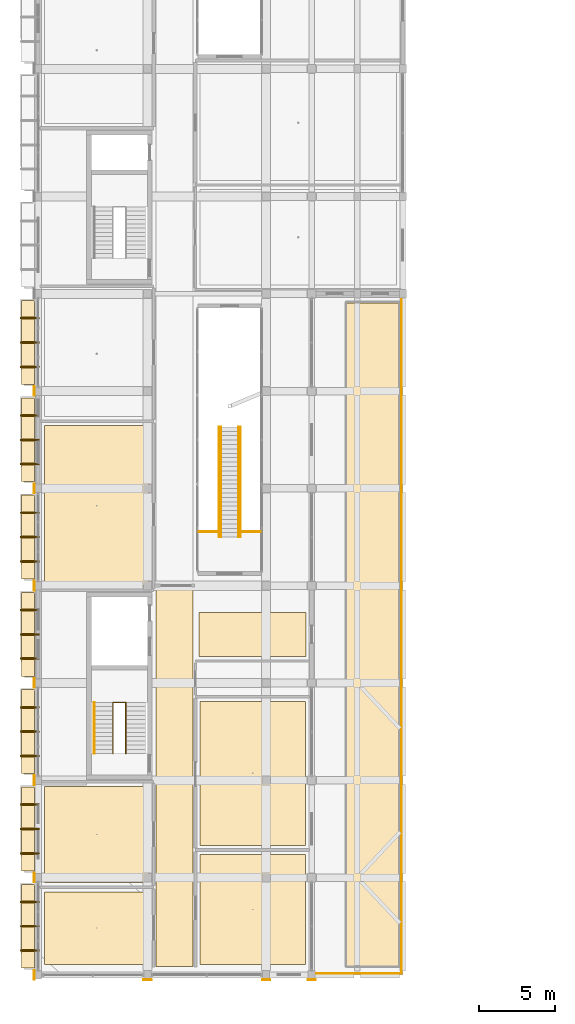
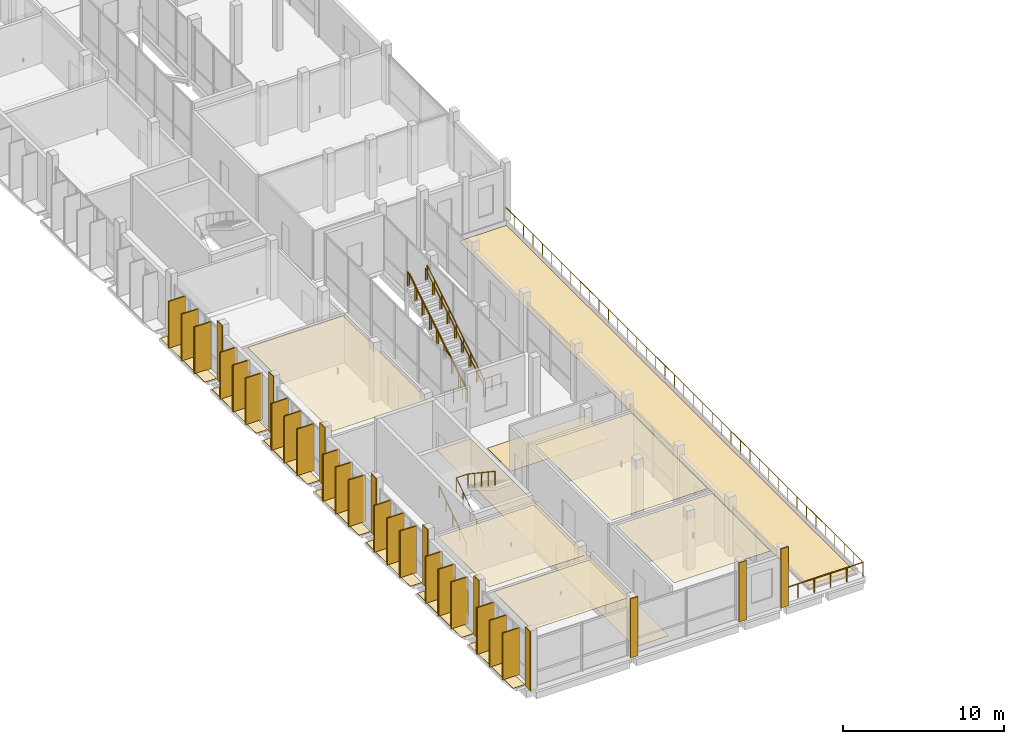
# One storey, part 82 of 95: 46 coverings, 21 shading devices, 10 railings.
"""IFC4 building model written with IfcOpenShell, lengths in metres."""

from ifc_helpers import new_model, si_unit, derived_unit, direction, frame, origin, origin_2d, place, context, subcontext, project, spatial, polyline, rectangle, circle, outline, extrude, material, layer, layer_set, type_object, element, save


model = new_model("IFC4")

# Units and contexts
model_context = context("Model", 3, precision=1e-05, world=origin(), true_north=direction((0.0, 1.0)))
body_context = subcontext(model_context, "Body", "Model", "MODEL_VIEW")
ifc_project = project(units=[si_unit("LENGTHUNIT", "METRE"), si_unit("AREAUNIT", "SQUARE_METRE"), si_unit("VOLUMEUNIT", "CUBIC_METRE"), si_unit("PLANEANGLEUNIT", "RADIAN"), si_unit("MASSUNIT", "GRAM", prefix="KILO"), derived_unit("THERMALTRANSMITTANCEUNIT", [(si_unit("POWERUNIT", "WATT"), 1), (si_unit("LENGTHUNIT", "METRE"), -2), (si_unit("THERMODYNAMICTEMPERATUREUNIT", "KELVIN"), -1)])], contexts=[model_context])

# Site, building, storey
site_placement = place(None, origin())
site = spatial("IfcSite", under=ifc_project, at=site_placement, CompositionType="ELEMENT")
building_placement = place(site_placement, origin())
building = spatial("IfcBuilding", under=site, at=building_placement, Name="Braskholm Square Health Centre", CompositionType="ELEMENT")
storey_placement = place(building_placement, frame((0.0, 0.0, 4.800048828125)))
storey = spatial("IfcBuildingStorey", under=building, at=storey_placement, Name="L02", CompositionType="ELEMENT", Elevation=4.800048828125)

# Coverings
ifc_material_1 = material(Name="Fire-rated gypsum board barrier")
ifc_layer_1 = layer(ifc_material_1, 0.02490234375)
ifc_layer_set_1 = layer_set([ifc_layer_1], Name="Fire-rated gypsum board barrier")
covering_type_1 = type_object("IfcCoveringType", Name="AcousticClinicalCeilingTile", PredefinedType="CEILING", material=ifc_layer_set_1)
covering_1_placement = place(storey_placement, frame((0.0, 0.0, 3.784912109375)))
element("IfcCovering", 1, at=covering_1_placement, inside=storey, type_object=covering_type_1, Name="Acoustic ceiling L02-047", PredefinedType="CEILING", context=body_context, shape_type="SweptSolid", body=[
    extrude(outline(polyline([(4.6201171875, 4.89990234375), (11.5, 4.89990234375), (11.5, 9.669921875), (4.6201171875, 9.669921875), (4.6201171875, 4.89990234375)])), origin(), (0.0, 0.0, 1.0), 0.025146484375),
])
covering_2_placement = place(storey_placement, frame((0.0, 0.0, 3.764892578125)))
element("IfcCovering", 2, at=covering_2_placement, inside=storey, type_object=covering_type_1, Name="Acoustic ceiling L02-048", PredefinedType="CEILING", context=body_context, shape_type="SweptSolid", body=[
    extrude(outline(polyline([(4.6201171875, 10.27001953125), (11.5, 10.27001953125), (11.5, 16.60009765625), (4.6201171875, 16.60009765625), (4.6201171875, 10.27001953125)])), origin(), (0.0, 0.0, 1.0), 0.025146484375),
])
covering_3_placement = place(storey_placement, frame((0.0, 0.0, 3.764892578125)))
element("IfcCovering", 3, at=covering_3_placement, inside=storey, type_object=covering_type_1, Name="Acoustic ceiling L02-049", PredefinedType="CEILING", context=body_context, shape_type="SweptSolid", body=[
    extrude(outline(polyline([(4.6201171875, 29.800048828125), (11.5, 29.800048828125), (11.5, 40.330078125), (4.6201171875, 40.330078125), (4.6201171875, 29.800048828125)])), origin(), (0.0, 0.0, 1.0), 0.025146484375),
])
covering_4_placement = place(storey_placement, frame((0.0, 0.0, 3.764892578125)))
element("IfcCovering", 4, at=covering_4_placement, inside=storey, type_object=covering_type_1, Name="Acoustic ceiling L02-061", PredefinedType="CEILING", context=body_context, shape_type="SweptSolid", body=[
    extrude(outline(polyline([(14.85009765625, 4.89990234375), (21.780029296875, 4.89990234375), (21.780029296875, 12.1201171875), (14.85009765625, 12.1201171875), (14.85009765625, 4.89990234375)])), origin(), (0.0, 0.0, 1.0), 0.025146484375),
])
covering_5_placement = place(storey_placement, frame((0.0, 0.0, 3.764892578125)))
element("IfcCovering", 5, at=covering_5_placement, inside=storey, type_object=covering_type_1, Name="Acoustic ceiling L02-062", PredefinedType="CEILING", context=body_context, shape_type="SweptSolid", body=[
    extrude(outline(polyline([(14.85009765625, 12.719970703125), (21.780029296875, 12.719970703125), (21.780029296875, 22.199951171875), (14.85009765625, 22.199951171875), (14.85009765625, 12.719970703125)])), origin(), (0.0, 0.0, 1.0), 0.025146484375),
])

# Railings
ifc_material_2 = material(Name="Dark patinated chevron architectural bronze", Category="aluminium")
railing_type_1 = type_object("IfcRailingType", Name="BronzeChevronGuardrail1100", PredefinedType="GUARDRAIL", material=ifc_material_2)
railing_1_placement = place(storey_placement, frame((9.1298828125, 18.760009765625, 0.0)))
element("IfcRailing", 6, at=railing_1_placement, inside=storey, type_object=railing_type_1, Name="Stair ST-01 inner well guardrail L02", PredefinedType="GUARDRAIL", context=body_context, shape_type="SweptSolid", body=[
    extrude(circle(Radius=0.02392578125, at=origin_2d()), frame((0.0, 0.0, 1.076171875), z_axis=(0.0, 0.830915400975, 0.556398774641), x_axis=(-1.0, 0.0, 0.0)), (0.0, 0.0, 1.0), 4.0439453125),
    extrude(circle(Radius=0.02392578125, at=origin_2d()), frame((0.0, 3.360107421875, 3.326171875), z_axis=(1.0, 0.0, 0.0), x_axis=(0.0, 1.0, 0.0)), (0.0, 0.0, 1.0), 0.840087890625),
    extrude(circle(Radius=0.02392578125, at=origin_2d()), frame((0.840087890625, 3.360107421875, 3.326171875), z_axis=(0.0, -0.830915400975, 0.556398774641), x_axis=(1.0, 0.0, 0.0)), (0.0, 0.0, 1.0), 4.0439453125),
    extrude(circle(Radius=0.02099609375, at=origin_2d()), origin(), (0.0, 0.0, 1.0), 1.052001953125),
    extrude(circle(Radius=0.02099609375, at=origin_2d()), frame((0.0, 0.840087890625, 0.5625)), (0.0, 0.0, 1.0), 1.052001953125),
    extrude(circle(Radius=0.02099609375, at=origin_2d()), frame((0.0, 1.68017578125, 1.125)), (0.0, 0.0, 1.0), 1.052001953125),
    extrude(circle(Radius=0.02099609375, at=origin_2d()), frame((0.0, 2.52001953125, 1.6875)), (0.0, 0.0, 1.0), 1.052001953125),
    extrude(circle(Radius=0.02099609375, at=origin_2d()), frame((0.0, 3.360107421875, 2.25)), (0.0, 0.0, 1.0), 1.052001953125),
    extrude(circle(Radius=0.02099609375, at=origin_2d()), frame((0.840087890625, 3.360107421875, 2.25)), (0.0, 0.0, 1.0), 1.052001953125),
    extrude(circle(Radius=0.02099609375, at=origin_2d()), frame((0.840087890625, 2.52001953125, 2.8125)), (0.0, 0.0, 1.0), 1.052001953125),
    extrude(circle(Radius=0.02099609375, at=origin_2d()), frame((0.840087890625, 1.68017578125, 3.375)), (0.0, 0.0, 1.0), 1.052001953125),
    extrude(circle(Radius=0.02099609375, at=origin_2d()), frame((0.840087890625, 0.840087890625, 3.9375)), (0.0, 0.0, 1.0), 1.052001953125),
    extrude(circle(Radius=0.02099609375, at=origin_2d()), frame((0.840087890625, 0.0, 4.5)), (0.0, 0.0, 1.0), 1.052001953125),
])
for number, where, name in (
    (7, (16.10009765625, 33.0, 0.0), "Stair ST-07 side guard L"),
    (8, (17.5, 33.0, 0.0), "Stair ST-07 side guard R"),
):
    element("IfcRailing", number, at=place(storey_placement, frame(where)), inside=storey, type_object=railing_type_1, Name=name, PredefinedType="GUARDRAIL", context=body_context, shape_type="SweptSolid", body=[
        extrude(circle(Radius=0.02392578125, at=origin_2d()), frame((0.0, 0.0, 1.076171875), z_axis=(0.0, 0.849640166198, 0.527362861778), x_axis=(-1.0, 0.0, 0.0)), (0.0, 0.0, 1.0), 8.532958984375),
        extrude(circle(Radius=0.02099609375, at=origin_2d()), origin(), (0.0, 0.0, 1.0), 1.052001953125),
        extrude(circle(Radius=0.02099609375, at=origin_2d()), frame((0.0, 0.90625, 0.5625)), (0.0, 0.0, 1.0), 1.052001953125),
        extrude(circle(Radius=0.02099609375, at=origin_2d()), frame((0.0, 1.8125, 1.125)), (0.0, 0.0, 1.0), 1.052001953125),
        extrude(circle(Radius=0.02099609375, at=origin_2d()), frame((0.0, 2.71875, 1.6875)), (0.0, 0.0, 1.0), 1.052001953125),
        extrude(circle(Radius=0.02099609375, at=origin_2d()), frame((0.0, 3.625, 2.25)), (0.0, 0.0, 1.0), 1.052001953125),
        extrude(circle(Radius=0.02099609375, at=origin_2d()), frame((0.0, 4.53125, 2.8125)), (0.0, 0.0, 1.0), 1.052001953125),
        extrude(circle(Radius=0.02099609375, at=origin_2d()), frame((0.0, 5.4375, 3.375)), (0.0, 0.0, 1.0), 1.052001953125),
        extrude(circle(Radius=0.02099609375, at=origin_2d()), frame((0.0, 6.34375, 3.9375)), (0.0, 0.0, 1.0), 1.052001953125),
        extrude(circle(Radius=0.02099609375, at=origin_2d()), frame((0.0, 7.25, 4.5)), (0.0, 0.0, 1.0), 1.052001953125),
    ])
for number, where, name in (
    (9, (14.780029296875, 33.35009765625, 0.0), "Atrium stair landing edge guard 19"),
    (10, (17.550048828125, 33.35009765625, 0.0), "Atrium stair landing edge guard 20"),
):
    element("IfcRailing", number, at=place(storey_placement, frame(where)), inside=storey, type_object=railing_type_1, Name=name, PredefinedType="GUARDRAIL", context=body_context, shape_type="SweptSolid", body=[
        extrude(circle(Radius=0.02392578125, at=origin_2d()), frame((0.0, 0.0, 1.076171875), z_axis=(1.0, 0.0, 0.0), x_axis=(0.0, 1.0, 0.0)), (0.0, 0.0, 1.0), 1.27001953125),
        extrude(circle(Radius=0.02099609375, at=origin_2d()), origin(), (0.0, 0.0, 1.0), 1.052001953125),
        extrude(circle(Radius=0.02099609375, at=origin_2d()), frame((0.635009765625, 0.0, 0.0)), (0.0, 0.0, 1.0), 1.052001953125),
        extrude(circle(Radius=0.02099609375, at=origin_2d()), frame((1.27001953125, 0.0, 0.0)), (0.0, 0.0, 1.0), 1.052001953125),
    ])
railing_2_placement = place(storey_placement, frame((22.25, 4.300048828125, 0.0)))
element("IfcRailing", 11, at=railing_2_placement, inside=storey, type_object=railing_type_1, Name="Bronze chevron guardrail 0001 L02", PredefinedType="GUARDRAIL", context=body_context, shape_type="SweptSolid", body=[
    extrude(circle(Radius=0.02392578125, at=origin_2d()), frame((0.0, 0.0, 1.076171875), z_axis=(1.0, 0.0, 0.0), x_axis=(0.0, 1.0, 0.0)), (0.0, 0.0, 1.0), 5.85009765625),
    extrude(circle(Radius=0.02099609375, at=origin_2d()), origin(), (0.0, 0.0, 1.0), 1.052001953125),
    extrude(circle(Radius=0.02099609375, at=origin_2d()), frame((1.169921875, 0.0, 0.0)), (0.0, 0.0, 1.0), 1.052001953125),
    extrude(circle(Radius=0.02099609375, at=origin_2d()), frame((2.340087890625, 0.0, 0.0)), (0.0, 0.0, 1.0), 1.052001953125),
    extrude(circle(Radius=0.02099609375, at=origin_2d()), frame((3.510009765625, 0.0, 0.0)), (0.0, 0.0, 1.0), 1.052001953125),
    extrude(circle(Radius=0.02099609375, at=origin_2d()), frame((4.68017578125, 0.0, 0.0)), (0.0, 0.0, 1.0), 1.052001953125),
    extrude(circle(Radius=0.02099609375, at=origin_2d()), frame((5.85009765625, 0.0, 0.0)), (0.0, 0.0, 1.0), 1.052001953125),
])
railing_3_placement = place(storey_placement, frame((28.10009765625, 4.300048828125, 0.0)))
element("IfcRailing", 12, at=railing_3_placement, inside=storey, type_object=railing_type_1, Name="Bronze chevron guardrail 0002 L02", PredefinedType="GUARDRAIL", context=body_context, shape_type="SweptSolid", body=[
    extrude(circle(Radius=0.02392578125, at=origin_2d()), frame((0.0, 0.0, 1.076171875), z_axis=(0.0, 1.0, 0.0), x_axis=(-1.0, 0.0, 0.0)), (0.0, 0.0, 1.0), 44.64990234375),
    extrude(circle(Radius=0.02099609375, at=origin_2d()), origin(), (0.0, 0.0, 1.0), 1.052001953125),
    extrude(circle(Radius=0.02099609375, at=origin_2d()), frame((0.0, 1.175048828125, 0.0)), (0.0, 0.0, 1.0), 1.052001953125),
    extrude(circle(Radius=0.02099609375, at=origin_2d()), frame((0.0, 2.35009765625, 0.0)), (0.0, 0.0, 1.0), 1.052001953125),
    extrude(circle(Radius=0.02099609375, at=origin_2d()), frame((0.0, 3.52490234375, 0.0)), (0.0, 0.0, 1.0), 1.052001953125),
    extrude(circle(Radius=0.02099609375, at=origin_2d()), frame((0.0, 4.699951171875, 0.0)), (0.0, 0.0, 1.0), 1.052001953125),
    extrude(circle(Radius=0.02099609375, at=origin_2d()), frame((0.0, 5.875, 0.0)), (0.0, 0.0, 1.0), 1.052001953125),
    extrude(circle(Radius=0.02099609375, at=origin_2d()), frame((0.0, 7.050048828125, 0.0)), (0.0, 0.0, 1.0), 1.052001953125),
    extrude(circle(Radius=0.02099609375, at=origin_2d()), frame((0.0, 8.22509765625, 0.0)), (0.0, 0.0, 1.0), 1.052001953125),
    extrude(circle(Radius=0.02099609375, at=origin_2d()), frame((0.0, 9.39990234375, 0.0)), (0.0, 0.0, 1.0), 1.052001953125),
    extrude(circle(Radius=0.02099609375, at=origin_2d()), frame((0.0, 10.574951171875, 0.0)), (0.0, 0.0, 1.0), 1.052001953125),
    extrude(circle(Radius=0.02099609375, at=origin_2d()), frame((0.0, 11.75, 0.0)), (0.0, 0.0, 1.0), 1.052001953125),
    extrude(circle(Radius=0.02099609375, at=origin_2d()), frame((0.0, 12.925048828125, 0.0)), (0.0, 0.0, 1.0), 1.052001953125),
    extrude(circle(Radius=0.02099609375, at=origin_2d()), frame((0.0, 14.099853515625, 0.0)), (0.0, 0.0, 1.0), 1.052001953125),
    extrude(circle(Radius=0.02099609375, at=origin_2d()), frame((0.0, 15.27490234375, 0.0)), (0.0, 0.0, 1.0), 1.052001953125),
    extrude(circle(Radius=0.02099609375, at=origin_2d()), frame((0.0, 16.449951171875, 0.0)), (0.0, 0.0, 1.0), 1.052001953125),
    extrude(circle(Radius=0.02099609375, at=origin_2d()), frame((0.0, 17.625, 0.0)), (0.0, 0.0, 1.0), 1.052001953125),
    extrude(circle(Radius=0.02099609375, at=origin_2d()), frame((0.0, 18.800048828125, 0.0)), (0.0, 0.0, 1.0), 1.052001953125),
    extrude(circle(Radius=0.02099609375, at=origin_2d()), frame((0.0, 19.974853515625, 0.0)), (0.0, 0.0, 1.0), 1.052001953125),
    extrude(circle(Radius=0.02099609375, at=origin_2d()), frame((0.0, 21.14990234375, 0.0)), (0.0, 0.0, 1.0), 1.052001953125),
    extrude(circle(Radius=0.02099609375, at=origin_2d()), frame((0.0, 22.324951171875, 0.0)), (0.0, 0.0, 1.0), 1.052001953125),
    extrude(circle(Radius=0.02099609375, at=origin_2d()), frame((0.0, 23.5, 0.0)), (0.0, 0.0, 1.0), 1.052001953125),
    extrude(circle(Radius=0.02099609375, at=origin_2d()), frame((0.0, 24.675048828125, 0.0)), (0.0, 0.0, 1.0), 1.052001953125),
    extrude(circle(Radius=0.02099609375, at=origin_2d()), frame((0.0, 25.849853515625, 0.0)), (0.0, 0.0, 1.0), 1.052001953125),
    extrude(circle(Radius=0.02099609375, at=origin_2d()), frame((0.0, 27.02490234375, 0.0)), (0.0, 0.0, 1.0), 1.052001953125),
    extrude(circle(Radius=0.02099609375, at=origin_2d()), frame((0.0, 28.199951171875, 0.0)), (0.0, 0.0, 1.0), 1.052001953125),
    extrude(circle(Radius=0.02099609375, at=origin_2d()), frame((0.0, 29.375, 0.0)), (0.0, 0.0, 1.0), 1.052001953125),
    extrude(circle(Radius=0.02099609375, at=origin_2d()), frame((0.0, 30.550048828125, 0.0)), (0.0, 0.0, 1.0), 1.052001953125),
    extrude(circle(Radius=0.02099609375, at=origin_2d()), frame((0.0, 31.724853515625, 0.0)), (0.0, 0.0, 1.0), 1.052001953125),
    extrude(circle(Radius=0.02099609375, at=origin_2d()), frame((0.0, 32.89990234375, 0.0)), (0.0, 0.0, 1.0), 1.052001953125),
    extrude(circle(Radius=0.02099609375, at=origin_2d()), frame((0.0, 34.074951171875, 0.0)), (0.0, 0.0, 1.0), 1.052001953125),
    extrude(circle(Radius=0.02099609375, at=origin_2d()), frame((0.0, 35.25, 0.0)), (0.0, 0.0, 1.0), 1.052001953125),
    extrude(circle(Radius=0.02099609375, at=origin_2d()), frame((0.0, 36.4248046875, 0.0)), (0.0, 0.0, 1.0), 1.052001953125),
    extrude(circle(Radius=0.02099609375, at=origin_2d()), frame((0.0, 37.599853515625, 0.0)), (0.0, 0.0, 1.0), 1.052001953125),
    extrude(circle(Radius=0.02099609375, at=origin_2d()), frame((0.0, 38.77490234375, 0.0)), (0.0, 0.0, 1.0), 1.052001953125),
    extrude(circle(Radius=0.02099609375, at=origin_2d()), frame((0.0, 39.949951171875, 0.0)), (0.0, 0.0, 1.0), 1.052001953125),
    extrude(circle(Radius=0.02099609375, at=origin_2d()), frame((0.0, 41.125, 0.0)), (0.0, 0.0, 1.0), 1.052001953125),
    extrude(circle(Radius=0.02099609375, at=origin_2d()), frame((0.0, 42.2998046875, 0.0)), (0.0, 0.0, 1.0), 1.052001953125),
    extrude(circle(Radius=0.02099609375, at=origin_2d()), frame((0.0, 43.474853515625, 0.0)), (0.0, 0.0, 1.0), 1.052001953125),
    extrude(circle(Radius=0.02099609375, at=origin_2d()), frame((0.0, 44.64990234375, 0.0)), (0.0, 0.0, 1.0), 1.052001953125),
])

# Shading devices
ifc_material_3 = material(Name="Thermally modified western red cedar with bronze trim", Category="wood")
shading_device_type = type_object("IfcShadingDeviceType", Name="CedarBronzeShadingFin1250", PredefinedType="USERDEFINED", material=ifc_material_3)
for number, where, z_axis, x_axis, name in (
    (13, (3.635009765625, 5.800048828125, 0.0), (0.0, 0.0, 1.0), (1.0, 0.0, 0.0), "Warm cedar-bronze vertical shading slat 0001"),
    (14, (3.635009765625, 7.39990234375, 0.0), (0.0, 0.0, 1.0), (1.0, 0.0, 0.0), "Warm cedar-bronze vertical shading slat 0002"),
    (15, (3.635009765625, 9.0, 0.0), (0.0, 0.0, 1.0), (1.0, 0.0, 0.0), "Warm cedar-bronze vertical shading slat 0003"),
    (16, (3.635009765625, 12.199951171875, 0.0), (0.0, 0.0, 1.0), (1.0, 0.0, 0.0), "Warm cedar-bronze vertical shading slat 0004"),
    (17, (3.635009765625, 13.800048828125, 0.0), (0.0, 0.0, 1.0), (1.0, 0.0, 0.0), "Warm cedar-bronze vertical shading slat 0005"),
    (18, (3.635009765625, 15.39990234375, 0.0), (0.0, 0.0, 1.0), (1.0, 0.0, 0.0), "Warm cedar-bronze vertical shading slat 0006"),
    (19, (3.635009765625, 18.60009765625, 0.0), (0.0, 0.0, 1.0), (1.0, 0.0, 0.0), "Warm cedar-bronze vertical shading slat 0007"),
    (20, (3.635009765625, 20.199951171875, 0.0), (0.0, 0.0, 1.0), (1.0, 0.0, 0.0), "Warm cedar-bronze vertical shading slat 0008"),
    (21, (3.635009765625, 21.800048828125, 0.0), (0.0, 0.0, 1.0), (1.0, 0.0, 0.0), "Warm cedar-bronze vertical shading slat 0009"),
    (22, (3.635009765625, 25.0, 0.0), (0.0, 0.0, 1.0), (1.0, 0.0, 0.0), "Warm cedar-bronze vertical shading slat 0010"),
    (23, (3.635009765625, 26.60009765625, 0.0), (0.0, 0.0, 1.0), (1.0, 0.0, 0.0), "Warm cedar-bronze vertical shading slat 0011"),
    (24, (3.635009765625, 28.199951171875, 0.0), (0.0, 0.0, 1.0), (1.0, 0.0, 0.0), "Warm cedar-bronze vertical shading slat 0012"),
    (25, (3.635009765625, 31.39990234375, 0.0), (0.0, 0.0, 1.0), (1.0, 0.0, 0.0), "Warm cedar-bronze vertical shading slat 0013"),
    (26, (3.635009765625, 33.0, 0.0), (0.0, 0.0, 1.0), (1.0, 0.0, 0.0), "Warm cedar-bronze vertical shading slat 0014"),
    (27, (3.635009765625, 34.60009765625, 0.0), (0.0, 0.0, 1.0), (1.0, 0.0, 0.0), "Warm cedar-bronze vertical shading slat 0015"),
    (28, (3.635009765625, 37.800048828125, 0.0), (0.0, 0.0, 1.0), (1.0, 0.0, 0.0), "Warm cedar-bronze vertical shading slat 0016"),
    (29, (3.635009765625, 39.39990234375, 0.0), (0.0, 0.0, 1.0), (1.0, 0.0, 0.0), "Warm cedar-bronze vertical shading slat 0017"),
    (30, (3.635009765625, 41.0, 0.0), (0.0, 0.0, 1.0), (1.0, 0.0, 0.0), "Warm cedar-bronze vertical shading slat 0018"),
    (31, (3.635009765625, 44.199951171875, 0.0), (0.0, 0.0, 1.0), (1.0, 0.0, 0.0), "Warm cedar-bronze vertical shading slat 0019"),
    (32, (3.635009765625, 45.800048828125, 0.0), (0.0, 0.0, 1.0), (1.0, 0.0, 0.0), "Warm cedar-bronze vertical shading slat 0020"),
    (33, (3.635009765625, 47.39990234375, 0.0), (0.0, 0.0, 1.0), (1.0, 0.0, 0.0), "Warm cedar-bronze vertical shading slat 0021"),
):
    element("IfcShadingDevice", number, at=place(storey_placement, frame(where, z_axis=z_axis, x_axis=x_axis)), inside=storey, type_object=shading_device_type, Name=name, ObjectType="FIN", PredefinedType="USERDEFINED", context=body_context, shape_type="SweptSolid", body=[
        extrude(rectangle(XDim=1.25, YDim=0.0849609375, at=origin_2d()), origin(), (0.0, 0.0, 1.0), 3.570068359375),
    ])

# Coverings
ifc_layer_2 = layer(ifc_material_3, 0.0849609375)
ifc_layer_set_2 = layer_set([ifc_layer_2], Name="Thermally modified western red cedar with bronze trim")
covering_type_2 = type_object("IfcCoveringType", Name="CedarBronzeSlatCladding", PredefinedType="CLADDING", material=ifc_layer_set_2)
for number, where, z_axis, x_axis, name in (
    (34, (3.6298828125, 5.800048828125, 0.0), (0.0, 0.0, 1.0), (1.0, 0.0, 0.0), "Cedar-bronze shading slat trim 0396"),
    (35, (3.6298828125, 7.39990234375, 0.0), (0.0, 0.0, 1.0), (1.0, 0.0, 0.0), "Cedar-bronze shading slat trim 0397"),
    (36, (3.6298828125, 9.0, 0.0), (0.0, 0.0, 1.0), (1.0, 0.0, 0.0), "Cedar-bronze shading slat trim 0398"),
    (37, (3.6298828125, 12.199951171875, 0.0), (0.0, 0.0, 1.0), (1.0, 0.0, 0.0), "Cedar-bronze shading slat trim 0400"),
    (38, (3.6298828125, 13.800048828125, 0.0), (0.0, 0.0, 1.0), (1.0, 0.0, 0.0), "Cedar-bronze shading slat trim 0401"),
    (39, (3.6298828125, 15.39990234375, 0.0), (0.0, 0.0, 1.0), (1.0, 0.0, 0.0), "Cedar-bronze shading slat trim 0402"),
    (40, (3.6298828125, 18.60009765625, 0.0), (0.0, 0.0, 1.0), (1.0, 0.0, 0.0), "Cedar-bronze shading slat trim 0404"),
    (41, (3.6298828125, 20.199951171875, 0.0), (0.0, 0.0, 1.0), (1.0, 0.0, 0.0), "Cedar-bronze shading slat trim 0405"),
    (42, (3.6298828125, 21.800048828125, 0.0), (0.0, 0.0, 1.0), (1.0, 0.0, 0.0), "Cedar-bronze shading slat trim 0406"),
    (43, (3.6298828125, 25.0, 0.0), (0.0, 0.0, 1.0), (1.0, 0.0, 0.0), "Cedar-bronze shading slat trim 0408"),
    (44, (3.6298828125, 26.60009765625, 0.0), (0.0, 0.0, 1.0), (1.0, 0.0, 0.0), "Cedar-bronze shading slat trim 0409"),
    (45, (3.6298828125, 28.199951171875, 0.0), (0.0, 0.0, 1.0), (1.0, 0.0, 0.0), "Cedar-bronze shading slat trim 0410"),
    (46, (3.6298828125, 31.39990234375, 0.0), (0.0, 0.0, 1.0), (1.0, 0.0, 0.0), "Cedar-bronze shading slat trim 0412"),
    (47, (3.6298828125, 33.0, 0.0), (0.0, 0.0, 1.0), (1.0, 0.0, 0.0), "Cedar-bronze shading slat trim 0413"),
    (48, (3.6298828125, 34.60009765625, 0.0), (0.0, 0.0, 1.0), (1.0, 0.0, 0.0), "Cedar-bronze shading slat trim 0414"),
    (49, (3.6298828125, 37.800048828125, 0.0), (0.0, 0.0, 1.0), (1.0, 0.0, 0.0), "Cedar-bronze shading slat trim 0416"),
    (50, (3.6298828125, 39.39990234375, 0.0), (0.0, 0.0, 1.0), (1.0, 0.0, 0.0), "Cedar-bronze shading slat trim 0417"),
    (51, (3.6298828125, 41.0, 0.0), (0.0, 0.0, 1.0), (1.0, 0.0, 0.0), "Cedar-bronze shading slat trim 0418"),
    (52, (3.6298828125, 44.199951171875, 0.0), (0.0, 0.0, 1.0), (1.0, 0.0, 0.0), "Cedar-bronze shading slat trim 0420"),
    (53, (3.6298828125, 45.800048828125, 0.0), (0.0, 0.0, 1.0), (1.0, 0.0, 0.0), "Cedar-bronze shading slat trim 0421"),
    (54, (3.6298828125, 47.39990234375, 0.0), (0.0, 0.0, 1.0), (1.0, 0.0, 0.0), "Cedar-bronze shading slat trim 0422"),
):
    element("IfcCovering", number, at=place(storey_placement, frame(where, z_axis=z_axis, x_axis=x_axis)), inside=storey, type_object=covering_type_2, Name=name, PredefinedType="CLADDING", context=body_context, shape_type="SweptSolid", body=[
        extrude(rectangle(XDim=1.179931640625, YDim=0.094970703125, at=origin_2d()), origin(), (0.0, 0.0, 1.0), 3.570068359375),
    ])
ifc_material_4 = material(Name="Intensive botanical sedum and native prairie garden bed")
ifc_layer_3 = layer(ifc_material_4, 0.02490234375)
ifc_layer_set_3 = layer_set([ifc_layer_3], Name="Intensive botanical sedum and native prairie garden bed")
covering_type_3 = type_object("IfcCoveringType", Name="PlantedTerraceGardenBed", PredefinedType="ROOFING", material=ifc_layer_set_3)
covering_6_placement = place(storey_placement, origin())
element("IfcCovering", 55, at=covering_6_placement, inside=storey, type_object=covering_type_3, Name="West floor planter ledge sedum strip 0399", PredefinedType="ROOFING", context=body_context, shape_type="SweptSolid", body=[
    extrude(outline(polyline([(3.1201171875, 4.639892578125), (3.949951171875, 4.639892578125), (3.949951171875, 10.159912109375), (3.1201171875, 10.159912109375), (3.1201171875, 4.639892578125)])), origin(), (0.0, 0.0, 1.0), 0.02490234375),
])
covering_7_placement = place(storey_placement, origin())
element("IfcCovering", 56, at=covering_7_placement, inside=storey, type_object=covering_type_3, Name="West floor planter ledge sedum strip 0403", PredefinedType="ROOFING", context=body_context, shape_type="SweptSolid", body=[
    extrude(outline(polyline([(3.1201171875, 11.0400390625), (3.949951171875, 11.0400390625), (3.949951171875, 16.56005859375), (3.1201171875, 16.56005859375), (3.1201171875, 11.0400390625)])), origin(), (0.0, 0.0, 1.0), 0.02490234375),
])
covering_8_placement = place(storey_placement, origin())
element("IfcCovering", 57, at=covering_8_placement, inside=storey, type_object=covering_type_3, Name="West floor planter ledge sedum strip 0407", PredefinedType="ROOFING", context=body_context, shape_type="SweptSolid", body=[
    extrude(outline(polyline([(3.1201171875, 17.43994140625), (3.949951171875, 17.43994140625), (3.949951171875, 22.9599609375), (3.1201171875, 22.9599609375), (3.1201171875, 17.43994140625)])), origin(), (0.0, 0.0, 1.0), 0.02490234375),
])
covering_9_placement = place(storey_placement, origin())
element("IfcCovering", 58, at=covering_9_placement, inside=storey, type_object=covering_type_3, Name="West floor planter ledge sedum strip 0411", PredefinedType="ROOFING", context=body_context, shape_type="SweptSolid", body=[
    extrude(outline(polyline([(3.1201171875, 23.840087890625), (3.949951171875, 23.840087890625), (3.949951171875, 29.360107421875), (3.1201171875, 29.360107421875), (3.1201171875, 23.840087890625)])), origin(), (0.0, 0.0, 1.0), 0.02490234375),
])
covering_10_placement = place(storey_placement, origin())
element("IfcCovering", 59, at=covering_10_placement, inside=storey, type_object=covering_type_3, Name="West floor planter ledge sedum strip 0415", PredefinedType="ROOFING", context=body_context, shape_type="SweptSolid", body=[
    extrude(outline(polyline([(3.1201171875, 30.239990234375), (3.949951171875, 30.239990234375), (3.949951171875, 35.760009765625), (3.1201171875, 35.760009765625), (3.1201171875, 30.239990234375)])), origin(), (0.0, 0.0, 1.0), 0.02490234375),
])
covering_11_placement = place(storey_placement, origin())
element("IfcCovering", 60, at=covering_11_placement, inside=storey, type_object=covering_type_3, Name="West floor planter ledge sedum strip 0419", PredefinedType="ROOFING", context=body_context, shape_type="SweptSolid", body=[
    extrude(outline(polyline([(3.1201171875, 36.639892578125), (3.949951171875, 36.639892578125), (3.949951171875, 42.159912109375), (3.1201171875, 42.159912109375), (3.1201171875, 36.639892578125)])), origin(), (0.0, 0.0, 1.0), 0.02490234375),
])
covering_12_placement = place(storey_placement, origin())
element("IfcCovering", 61, at=covering_12_placement, inside=storey, type_object=covering_type_3, Name="West floor planter ledge sedum strip 0423", PredefinedType="ROOFING", context=body_context, shape_type="SweptSolid", body=[
    extrude(outline(polyline([(3.1201171875, 43.0400390625), (3.949951171875, 43.0400390625), (3.949951171875, 48.56005859375), (3.1201171875, 48.56005859375), (3.1201171875, 43.0400390625)])), origin(), (0.0, 0.0, 1.0), 0.02490234375),
])
covering_13_placement = place(storey_placement, origin())
element("IfcCovering", 62, at=covering_13_placement, inside=storey, type_object=covering_type_3, Name="Planted therapy terrace garden bed 0902", PredefinedType="ROOFING", context=body_context, shape_type="SweptSolid", body=[
    extrude(outline(polyline([(24.5, 4.800048828125), (27.89990234375, 4.800048828125), (27.89990234375, 48.39990234375), (24.5, 48.39990234375), (24.5, 4.800048828125)])), origin(), (0.0, 0.0, 1.0), 0.02490234375),
])
ifc_material_5 = material(Name="Polished geometric terrazzo flooring", Category="masonry")
ifc_layer_4 = layer(ifc_material_5, 0.02001953125)
ifc_layer_set_4 = layer_set([ifc_layer_4], Name="Polished geometric terrazzo flooring")
covering_type_4 = type_object("IfcCoveringType", Name="PolishedTerrazzoFloorFinish", PredefinedType="FLOORING", material=ifc_layer_set_4)
covering_14_placement = place(storey_placement, origin())
element("IfcCovering", 63, at=covering_14_placement, inside=storey, type_object=covering_type_4, Name="Polished terrazzo floor L02-045", PredefinedType="FLOORING", context=body_context, shape_type="SweptSolid", body=[
    extrude(outline(polyline([(11.949951171875, 4.75), (14.39990234375, 4.75), (14.39990234375, 29.550048828125), (11.949951171875, 29.550048828125), (11.949951171875, 4.75)])), origin(), (0.0, 0.0, 1.0), 0.02001953125),
])
covering_15_placement = place(storey_placement, origin())
element("IfcCovering", 64, at=covering_15_placement, inside=storey, type_object=covering_type_4, Name="Polished terrazzo floor L02-058", PredefinedType="FLOORING", context=body_context, shape_type="SweptSolid", body=[
    extrude(outline(polyline([(14.780029296875, 25.14990234375), (21.830078125, 25.14990234375), (21.830078125, 28.050048828125), (14.780029296875, 28.050048828125), (14.780029296875, 25.14990234375)])), origin(), (0.0, 0.0, 1.0), 0.02001953125),
])
ifc_material_6 = material(Name="Precast concrete C40/50 architectural white", Category="concrete")
ifc_layer_5 = layer(ifc_material_6, 0.054931640625)
ifc_layer_set_5 = layer_set([ifc_layer_5], Name="Precast concrete C40/50 architectural white")
covering_type_5 = type_object("IfcCoveringType", Name="PrecastWhiteColumnCasing", PredefinedType="CLADDING", material=ifc_layer_set_5)
for number, where, z_axis, x_axis, name in (
    (65, (3.945068359375, 4.199951171875, 0.0), (0.0, 0.0, 1.0), (1.0, 0.0, 0.0), "Giant-order white precast column casing 0002"),
    (66, (3.945068359375, 10.60009765625, 0.0), (0.0, 0.0, 1.0), (1.0, 0.0, 0.0), "Giant-order white precast column casing 0011"),
    (67, (3.945068359375, 17.0, 0.0), (0.0, 0.0, 1.0), (1.0, 0.0, 0.0), "Giant-order white precast column casing 0020"),
    (68, (3.945068359375, 23.39990234375, 0.0), (0.0, 0.0, 1.0), (1.0, 0.0, 0.0), "Giant-order white precast column casing 0029"),
    (69, (3.945068359375, 29.800048828125, 0.0), (0.0, 0.0, 1.0), (1.0, 0.0, 0.0), "Giant-order white precast column casing 0038"),
    (70, (3.945068359375, 36.199951171875, 0.0), (0.0, 0.0, 1.0), (1.0, 0.0, 0.0), "Giant-order white precast column casing 0047"),
    (71, (3.945068359375, 42.60009765625, 0.0), (0.0, 0.0, 1.0), (1.0, 0.0, 0.0), "Giant-order white precast column casing 0056"),
):
    element("IfcCovering", number, at=place(storey_placement, frame(where, z_axis=z_axis, x_axis=x_axis)), inside=storey, type_object=covering_type_5, Name=name, PredefinedType="CLADDING", context=body_context, shape_type="SweptSolid", body=[
        extrude(rectangle(XDim=0.06005859375, YDim=0.639892578125, at=origin_2d()), origin(), (0.0, 0.0, 1.0), 4.5),
    ])
for number, where, z_axis, x_axis, name in (
    (72, (11.39990234375, 3.89501953125, 0.0), (0.0, 0.0, 1.0), (1.0, 0.0, 0.0), "Giant-order white precast column casing 0155"),
    (73, (19.199951171875, 3.89501953125, 0.0), (0.0, 0.0, 1.0), (1.0, 0.0, 0.0), "Giant-order white precast column casing 0167"),
    (74, (22.199951171875, 3.89501953125, 0.0), (0.0, 0.0, 1.0), (1.0, 0.0, 0.0), "Giant-order white precast column casing 0179"),
):
    element("IfcCovering", number, at=place(storey_placement, frame(where, z_axis=z_axis, x_axis=x_axis)), inside=storey, type_object=covering_type_5, Name=name, PredefinedType="CLADDING", context=body_context, shape_type="SweptSolid", body=[
        extrude(rectangle(XDim=0.5400390625, YDim=0.06005859375, at=origin_2d()), origin(), (0.0, 0.0, 1.0), 4.5),
    ])

# Railings
railing_type_2 = type_object("IfcRailingType", Name="StairTubularHandrail915", PredefinedType="HANDRAIL", material=ifc_material_2)
railing_4_placement = place(storey_placement, frame((7.89990234375, 18.760009765625, 0.0)))
element("IfcRailing", 75, at=railing_4_placement, inside=storey, type_object=railing_type_2, Name="Stair ST-01 wall handrail F1 L02", PredefinedType="HANDRAIL", context=body_context, shape_type="SweptSolid", body=[
    extrude(circle(Radius=0.02392578125, at=origin_2d()), frame((0.0, 0.0, 0.89111328125), z_axis=(0.0, 0.830915400975, 0.556398774641), x_axis=(-1.0, 0.0, 0.0)), (0.0, 0.0, 1.0), 4.0439453125),
    extrude(circle(Radius=0.02099609375, at=origin_2d()), origin(), (0.0, 0.0, 1.0), 0.866943359375),
    extrude(circle(Radius=0.02099609375, at=origin_2d()), frame((0.0, 0.840087890625, 0.5625)), (0.0, 0.0, 1.0), 0.866943359375),
    extrude(circle(Radius=0.02099609375, at=origin_2d()), frame((0.0, 1.68017578125, 1.125)), (0.0, 0.0, 1.0), 0.866943359375),
    extrude(circle(Radius=0.02099609375, at=origin_2d()), frame((0.0, 2.52001953125, 1.6875)), (0.0, 0.0, 1.0), 0.866943359375),
    extrude(circle(Radius=0.02099609375, at=origin_2d()), frame((0.0, 3.360107421875, 2.25)), (0.0, 0.0, 1.0), 0.866943359375),
])
for number, where, name in (
    (76, (16.22607421875, 33.0, 0.0), "Stair ST-07 tubular handrail L"),
    (77, (17.3740234375, 33.0, 0.0), "Stair ST-07 tubular handrail R"),
):
    element("IfcRailing", number, at=place(storey_placement, frame(where)), inside=storey, type_object=railing_type_2, Name=name, PredefinedType="HANDRAIL", context=body_context, shape_type="SweptSolid", body=[
        extrude(circle(Radius=0.02392578125, at=origin_2d()), frame((0.0, 0.0, 0.89111328125), z_axis=(0.0, 0.849640166198, 0.527362861778), x_axis=(-1.0, 0.0, 0.0)), (0.0, 0.0, 1.0), 8.532958984375),
        extrude(circle(Radius=0.02099609375, at=origin_2d()), origin(), (0.0, 0.0, 1.0), 0.866943359375),
        extrude(circle(Radius=0.02099609375, at=origin_2d()), frame((0.0, 0.90625, 0.5625)), (0.0, 0.0, 1.0), 0.866943359375),
        extrude(circle(Radius=0.02099609375, at=origin_2d()), frame((0.0, 1.8125, 1.125)), (0.0, 0.0, 1.0), 0.866943359375),
        extrude(circle(Radius=0.02099609375, at=origin_2d()), frame((0.0, 2.71875, 1.6875)), (0.0, 0.0, 1.0), 0.866943359375),
        extrude(circle(Radius=0.02099609375, at=origin_2d()), frame((0.0, 3.625, 2.25)), (0.0, 0.0, 1.0), 0.866943359375),
        extrude(circle(Radius=0.02099609375, at=origin_2d()), frame((0.0, 4.53125, 2.8125)), (0.0, 0.0, 1.0), 0.866943359375),
        extrude(circle(Radius=0.02099609375, at=origin_2d()), frame((0.0, 5.4375, 3.375)), (0.0, 0.0, 1.0), 0.866943359375),
        extrude(circle(Radius=0.02099609375, at=origin_2d()), frame((0.0, 6.34375, 3.9375)), (0.0, 0.0, 1.0), 0.866943359375),
        extrude(circle(Radius=0.02099609375, at=origin_2d()), frame((0.0, 7.25, 4.5)), (0.0, 0.0, 1.0), 0.866943359375),
    ])

save(model, "model.ifc")
